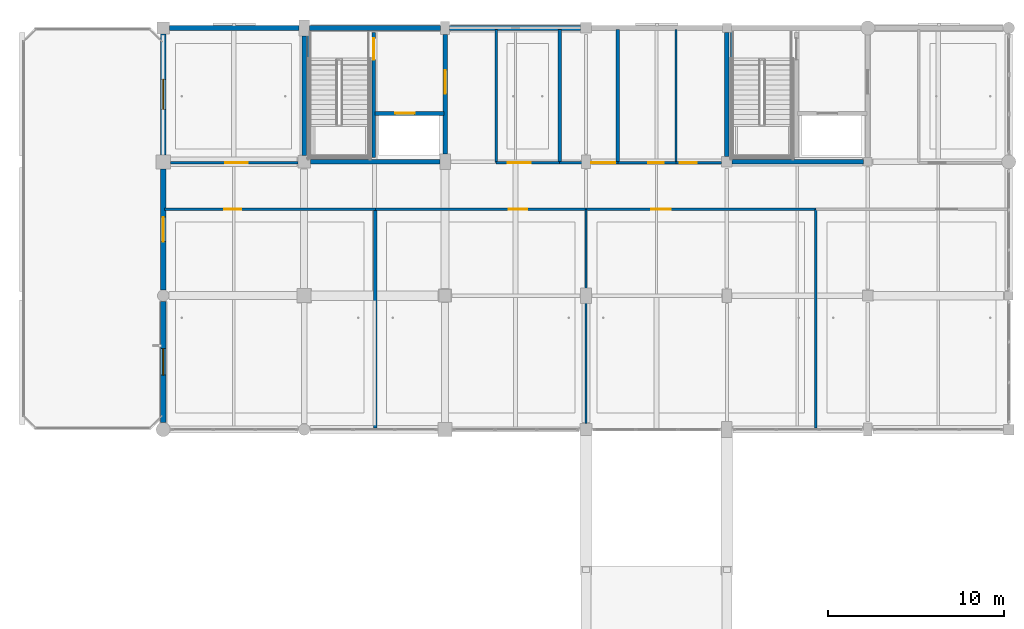
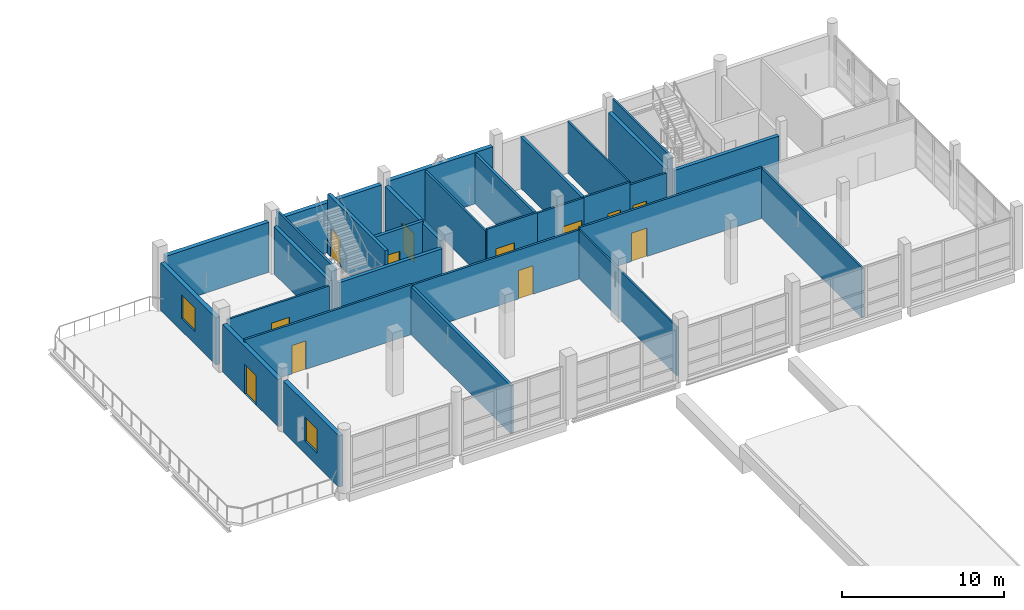
# One storey, part 75 of 107: 30 walls, 12 doors, 2 windows, 14 openings.
"""IFC4 building model written with IfcOpenShell, lengths in metres."""

from ifc_helpers import new_model, si_unit, direction, frame, frame_2d, origin, place, context, subcontext, project, spatial, rectangle, extrude, material, layer, layer_set, type_object, element, fill, save


model = new_model("IFC4")

# Units and contexts
model_context = context("Model", 3, precision=1e-05, world=origin(), true_north=direction((0.0, 1.0)))
body_context = subcontext(model_context, "Body", "Model", "MODEL_VIEW")
ifc_project = project(units=[si_unit("LENGTHUNIT", "METRE"), si_unit("AREAUNIT", "SQUARE_METRE"), si_unit("VOLUMEUNIT", "CUBIC_METRE"), si_unit("PLANEANGLEUNIT", "RADIAN"), si_unit("MASSUNIT", "GRAM", prefix="KILO")], contexts=[model_context])

# Site, building, storey
site_placement = place(None, origin())
site = spatial("IfcSite", under=ifc_project, at=site_placement, CompositionType="ELEMENT")
building_placement = place(site_placement, origin())
building = spatial("IfcBuilding", under=site, at=building_placement, Name="Khelvaren Railside Concert Hall", CompositionType="ELEMENT")
storey_placement = place(building_placement, frame((0.0, 0.0, 15.0)))
storey = spatial("IfcBuildingStorey", under=building, at=storey_placement, Name="L03", CompositionType="ELEMENT", Elevation=15.0)

# Walls
ifc_material_1 = material(Name="Concrete C40/50", Category="concrete")
ifc_layer_1 = layer(ifc_material_1, 0.139892578125)
ifc_layer_set_1 = layer_set([ifc_layer_1], Name="Concrete C40/50")
wall_type_1 = type_object("IfcWallType", Name="CW17", PredefinedType="SOLIDWALL", material=ifc_layer_set_1)
for number, where, z_axis, x_axis, name in (
    (1, (144.27490234375, 106.550048828125, 0.0), (0.0, 0.0, 1.0), (0.0, 1.0, 0.0), "Core Shaft Structural Liner Wall ST-09-L03"),
    (2, (168.27490234375, 106.550048828125, 0.0), (0.0, 0.0, 1.0), (0.0, 1.0, 0.0), "Core Shaft Structural Liner Wall ST-10-L03"),
):
    element("IfcWall", number, at=place(storey_placement, frame(where, z_axis=z_axis, x_axis=x_axis)), inside=storey, type_object=wall_type_1, Name=name, PredefinedType="SOLIDWALL", context=body_context, shape_type="SweptSolid", body=[
        extrude(rectangle(XDim=7.300048828125, YDim=0.139892578125, at=frame_2d((3.64990234375, 0.0))), origin(), (0.0, 0.0, 1.0), 4.530029296875),
    ])
ifc_layer_2 = layer(ifc_material_1, 0.25)
ifc_layer_set_2 = layer_set([ifc_layer_2], Name="Concrete C40/50")
wall_type_2 = type_object("IfcWallType", Name="CW82", PredefinedType="SOLIDWALL", material=ifc_layer_set_2)
wall_1_placement = place(storey_placement, frame((144.0, 106.75, 0.0), z_axis=(0.0, 0.0, 1.0), x_axis=(0.0, 1.0, 0.0)))
element("IfcWall", 3, at=wall_1_placement, inside=storey, type_object=wall_type_2, Name="Core Enclosure Wall CWALL-ST-09-L03-W", PredefinedType="SOLIDWALL", context=body_context, shape_type="SweptSolid", body=[
    extrude(rectangle(XDim=6.800048828125, YDim=0.25, at=frame_2d((3.39990234375, 0.0))), origin(), (0.0, 0.0, 1.0), 3.570068359375),
])
wall_2_placement = place(storey_placement, frame((144.35009765625, 106.39990234375, 0.0), z_axis=(0.0, 0.0, 1.0), x_axis=(1.0, 0.0, 0.0)))
element("IfcWall", 4, at=wall_2_placement, inside=storey, type_object=wall_type_2, Name="Core Enclosure Wall CWALL-ST-09-L03-S", PredefinedType="SOLIDWALL", context=body_context, shape_type="SweptSolid", body=[
    extrude(rectangle(XDim=7.349853515625, YDim=0.25, at=frame_2d((3.6748046875, 0.0))), origin(), (0.0, 0.0, 1.0), 3.570068359375),
])

# Wall, opening, door
wall_3_placement = place(storey_placement, frame((152.0, 106.85009765625, 0.0), z_axis=(0.0, 0.0, 1.0), x_axis=(0.0, 1.0, 0.0)))
wall_3 = element("IfcWall", 5, at=wall_3_placement, inside=storey, type_object=wall_type_2, Name="Core Enclosure Wall CWALL-ST-09-L03-E", PredefinedType="SOLIDWALL", context=body_context, shape_type="SweptSolid", body=[
    extrude(rectangle(XDim=6.77490234375, YDim=0.25, at=frame_2d((3.387451171875, 0.0))), origin(), (0.0, 0.0, 1.0), 3.7548828125),
])
opening_1_placement = place(wall_3_placement, frame((3.39990234375, 0.0, 0.0)))
opening_1 = element("IfcOpeningElement", 6, at=opening_1_placement, cuts=wall_3, Name="Opening FDR34", PredefinedType="OPENING", context=body_context, shape_type="SweptSolid", body=[
    extrude(rectangle(XDim=1.35009765625, YDim=2.199951171875, at=frame_2d((0.675048828125, 1.10009765625))), frame((0.0, 0.135009765625, 0.0), z_axis=(0.0, -1.0, 0.0), x_axis=(1.0, 0.0, 0.0)), (0.0, 0.0, 1.0), 0.27001953125),
])
ifc_material_2 = material(Name="Acoustic fire-rated timber-core steel frame door", Category="steel")
door_type_1 = type_object("IfcDoorType", Name="FDR34", OperationType="NOTDEFINED", PredefinedType="DOOR", material=ifc_material_2)
door_1_placement = place(opening_1_placement, origin())
door_1 = element("IfcDoor", 7, at=door_1_placement, inside=storey, type_object=door_type_1, Name="Interior Door DR-ST-09-L03-LOB", OperationType="SINGLE_SWING_LEFT", OverallHeight=2.199951171875, OverallWidth=1.35009765625, PredefinedType="DOOR", context=body_context, shape_type="SweptSolid", body=[
    extrude(rectangle(XDim=1.35009765625, YDim=2.199951171875, at=frame_2d((0.675048828125, 1.10009765625))), frame((0.0, 0.02490234375, 0.0), z_axis=(0.0, -1.0, 0.0), x_axis=(1.0, 0.0, 0.0)), (0.0, 0.0, 1.0), 0.050048828125),
])
fill(opening_1, door_1)

# Walls
wall_4_placement = place(storey_placement, frame((168.0, 106.699951171875, 0.0), z_axis=(0.0, 0.0, 1.0), x_axis=(0.0, 1.0, 0.0)))
element("IfcWall", 8, at=wall_4_placement, inside=storey, type_object=wall_type_2, Name="Core Enclosure Wall CWALL-ST-10-L03-W", PredefinedType="SOLIDWALL", context=body_context, shape_type="SweptSolid", body=[
    extrude(rectangle(XDim=7.050048828125, YDim=0.25, at=frame_2d((3.52490234375, 0.0))), origin(), (0.0, 0.0, 1.0), 3.655029296875),
])
wall_5_placement = place(storey_placement, frame((168.300048828125, 106.39990234375, 0.0), z_axis=(0.0, 0.0, 1.0), x_axis=(1.0, 0.0, 0.0)))
element("IfcWall", 9, at=wall_5_placement, inside=storey, type_object=wall_type_2, Name="Core Enclosure Wall CWALL-ST-10-L03-S", PredefinedType="SOLIDWALL", context=body_context, shape_type="SweptSolid", body=[
    extrude(rectangle(XDim=7.449951171875, YDim=0.25, at=frame_2d((3.72509765625, 0.0))), origin(), (0.0, 0.0, 1.0), 3.655029296875),
])

# Wall, opening, door
ifc_layer_3 = layer(ifc_material_1, 0.219970703125)
ifc_layer_set_3 = layer_set([ifc_layer_3], Name="Concrete C40/50")
wall_type_3 = type_object("IfcWallType", Name="CW97", PredefinedType="SOLIDWALL", material=ifc_layer_set_3)
wall_6_placement = place(storey_placement, frame((147.949951171875, 106.64990234375, 0.0), z_axis=(0.0, 0.0, 1.0), x_axis=(0.0, 1.0, 0.0)))
wall_6 = element("IfcWall", 10, at=wall_6_placement, inside=storey, type_object=wall_type_3, Name="Core Enclosure Wall CWALL-ST-09-L03-MID", PredefinedType="SOLIDWALL", context=body_context, shape_type="SweptSolid", body=[
    extrude(rectangle(XDim=7.10009765625, YDim=0.219970703125, at=frame_2d((3.550048828125, 0.0))), origin(), (0.0, 0.0, 1.0), 4.530029296875),
])
opening_2_placement = place(wall_6_placement, frame((5.550048828125, 0.0, 0.0)))
opening_2 = element("IfcOpeningElement", 11, at=opening_2_placement, cuts=wall_6, Name="Opening FDR17", PredefinedType="OPENING", context=body_context, shape_type="SweptSolid", body=[
    extrude(rectangle(XDim=1.199951171875, YDim=2.14990234375, at=frame_2d((0.60009765625, 1.074951171875))), frame((0.0, 0.119873046875, 0.0), z_axis=(0.0, -1.0, 0.0), x_axis=(1.0, 0.0, 0.0)), (0.0, 0.0, 1.0), 0.239990234375),
])
door_type_2 = type_object("IfcDoorType", Name="FDR17", OperationType="NOTDEFINED", PredefinedType="DOOR", material=ifc_material_2)
door_2_placement = place(opening_2_placement, origin())
door_2 = element("IfcDoor", 12, at=door_2_placement, inside=storey, type_object=door_type_2, Name="Interior Door DR-ST-09-L03-ST", OperationType="SINGLE_SWING_RIGHT", OverallHeight=2.14990234375, OverallWidth=1.199951171875, PredefinedType="DOOR", context=body_context, shape_type="SweptSolid", body=[
    extrude(rectangle(XDim=1.199951171875, YDim=2.14990234375, at=frame_2d((0.60009765625, 1.074951171875))), frame((0.0, 0.02490234375, 0.0), z_axis=(0.0, -1.0, 0.0), x_axis=(1.0, 0.0, 0.0)), (0.0, 0.0, 1.0), 0.050048828125),
])
fill(opening_2, door_2)

wall_7_placement = place(storey_placement, frame((148.02001953125, 109.14990234375, 0.0), z_axis=(0.0, 0.0, 1.0), x_axis=(1.0, 0.0, 0.0)))
wall_7 = element("IfcWall", 13, at=wall_7_placement, inside=storey, type_object=wall_type_3, Name="Core Enclosure Wall CWALL-ST-09-L03-SHF", PredefinedType="SOLIDWALL", context=body_context, shape_type="SweptSolid", body=[
    extrude(rectangle(XDim=3.929931640625, YDim=0.219970703125, at=frame_2d((1.96484375, 0.0))), origin(), (0.0, 0.0, 1.0), 3.8798828125),
])
opening_3_placement = place(wall_7_placement, frame((1.14990234375, 0.0, 0.0)))
opening_3 = element("IfcOpeningElement", 14, at=opening_3_placement, cuts=wall_7, Name="Opening LD-FL-02", PredefinedType="OPENING", context=body_context, shape_type="SweptSolid", body=[
    extrude(rectangle(XDim=1.10009765625, YDim=2.199951171875, at=frame_2d((0.550048828125, 1.10009765625))), frame((0.0, 0.119873046875, 0.0), z_axis=(0.0, -1.0, 0.0), x_axis=(1.0, 0.0, 0.0)), (0.0, 0.0, 1.0), 0.239990234375),
])
ifc_material_3 = material(Name="Fire-rated brushed stainless steel landing door", Category="steel")
door_type_3 = type_object("IfcDoorType", Name="LD96", OperationType="DOUBLE_DOOR_SLIDING", PredefinedType="DOOR", material=ifc_material_3)
door_3_placement = place(opening_3_placement, origin())
door_3 = element("IfcDoor", 15, at=door_3_placement, inside=storey, type_object=door_type_3, Name="Lift Landing Door LD-FL-02-L03", OperationType="DOUBLE_DOOR_SLIDING", OverallHeight=2.199951171875, OverallWidth=1.10009765625, PredefinedType="DOOR", context=body_context, shape_type="SweptSolid", body=[
    extrude(rectangle(XDim=1.10009765625, YDim=2.199951171875, at=frame_2d((0.550048828125, 1.10009765625))), frame((0.0, 0.02490234375, 0.0), z_axis=(0.0, -1.0, 0.0), x_axis=(1.0, 0.0, 0.0)), (0.0, 0.0, 1.0), 0.050048828125),
])
fill(opening_3, door_3)

# Wall, opening, window
ifc_material_4 = material(Name="Board-marked architectural concrete C40/50", Category="concrete")
ifc_layer_4 = layer(ifc_material_4, 0.300048828125)
ifc_layer_set_4 = layer_set([ifc_layer_4], Name="Board-marked architectural concrete C40/50")
wall_type_4 = type_object("IfcWallType", Name="EW54", PredefinedType="SOLIDWALL", material=ifc_layer_set_4)
wall_8_placement = place(storey_placement, frame((136.0, 91.60009765625, 0.0), z_axis=(0.0, 0.0, 1.0), x_axis=(0.0, 1.0, 0.0)))
wall_8 = element("IfcWall", 16, at=wall_8_placement, inside=storey, type_object=wall_type_4, Name="V5 L03 Exterior Concrete Wall W-91", PredefinedType="SOLIDWALL", context=body_context, shape_type="SweptSolid", body=[
    extrude(rectangle(XDim=6.875, YDim=0.300048828125, at=frame_2d((3.4375, 0.0))), origin(), (0.0, 0.0, 1.0), 3.8701171875),
])
opening_4_placement = place(wall_8_placement, frame((2.6875, 0.0, 0.949951171875)))
opening_4 = element("IfcOpeningElement", 17, at=opening_4_placement, cuts=wall_8, Name="Opening WN64", PredefinedType="OPENING", context=body_context, shape_type="SweptSolid", body=[
    extrude(rectangle(XDim=1.5, YDim=1.800048828125, at=frame_2d((0.75, 0.89990234375))), frame((0.0, 0.159912109375, 0.0), z_axis=(0.0, -1.0, 0.0), x_axis=(1.0, 0.0, 0.0)), (0.0, 0.0, 1.0), 0.320068359375),
])
ifc_material_5 = material(Name="Triple-glazed acoustic aluminium window", Category="aluminium")
window_type_1 = type_object("IfcWindowType", Name="WN64", PartitioningType="SINGLE_PANEL", PredefinedType="WINDOW", material=ifc_material_5)
window_1_placement = place(opening_4_placement, origin())
window_1 = element("IfcWindow", 18, at=window_1_placement, inside=storey, type_object=window_type_1, Name="Acoustic Facade Window EW-V5-L03-W-91", OverallHeight=1.800048828125, OverallWidth=1.5, PartitioningType="SINGLE_PANEL", PredefinedType="WINDOW", context=body_context, shape_type="SweptSolid", body=[
    extrude(rectangle(XDim=1.5, YDim=1.800048828125, at=frame_2d((0.75, 0.89990234375))), frame((0.0, 0.030029296875, 0.0), z_axis=(0.0, -1.0, 0.0), x_axis=(1.0, 0.0, 0.0)), (0.0, 0.0, 1.0), 0.06005859375),
])
fill(opening_4, window_1)

# Wall, opening, door
wall_9_placement = place(storey_placement, frame((136.0, 99.125, 0.0), z_axis=(0.0, 0.0, 1.0), x_axis=(0.0, 1.0, 0.0)))
wall_9 = element("IfcWall", 19, at=wall_9_placement, inside=storey, type_object=wall_type_4, Name="V5 L03 Exterior Concrete Wall W-99", PredefinedType="SOLIDWALL", context=body_context, shape_type="SweptSolid", body=[
    extrude(rectangle(XDim=6.875, YDim=0.300048828125, at=frame_2d((3.4375, 0.0))), origin(), (0.0, 0.0, 1.0), 3.570068359375),
])
opening_5_placement = place(wall_9_placement, frame((2.737548828125, 0.0, 0.0)))
opening_5 = element("IfcOpeningElement", 20, at=opening_5_placement, cuts=wall_9, Name="Opening TDR61", PredefinedType="OPENING", context=body_context, shape_type="SweptSolid", body=[
    extrude(rectangle(XDim=1.39990234375, YDim=2.199951171875, at=frame_2d((0.699951171875, 1.10009765625))), frame((0.0, 0.159912109375, 0.0), z_axis=(0.0, -1.0, 0.0), x_axis=(1.0, 0.0, 0.0)), (0.0, 0.0, 1.0), 0.320068359375),
])
ifc_material_6 = material(Name="Glazed thermally broken terrace door", Category="aluminium")
door_type_4 = type_object("IfcDoorType", Name="TDR61", OperationType="NOTDEFINED", PredefinedType="DOOR", material=ifc_material_6)
door_4_placement = place(opening_5_placement, origin())
door_4 = element("IfcDoor", 21, at=door_4_placement, inside=storey, type_object=door_type_4, Name="V5 L03 Outdoor Terrace Access Door", OperationType="SINGLE_SWING_LEFT", OverallHeight=2.199951171875, OverallWidth=1.39990234375, PredefinedType="DOOR", context=body_context, shape_type="SweptSolid", body=[
    extrude(rectangle(XDim=1.39990234375, YDim=2.199951171875, at=frame_2d((0.699951171875, 1.10009765625))), frame((0.0, 0.02490234375, 0.0), z_axis=(0.0, -1.0, 0.0), x_axis=(1.0, 0.0, 0.0)), (0.0, 0.0, 1.0), 0.050048828125),
])
fill(opening_5, door_4)

# Wall, opening, window
wall_10_placement = place(storey_placement, frame((136.0, 106.800048828125, 0.0), z_axis=(0.0, 0.0, 1.0), x_axis=(0.0, 1.0, 0.0)))
wall_10 = element("IfcWall", 22, at=wall_10_placement, inside=storey, type_object=wall_type_4, Name="V5 L03 Exterior Concrete Wall W-106", PredefinedType="SOLIDWALL", context=body_context, shape_type="SweptSolid", body=[
    extrude(rectangle(XDim=6.849853515625, YDim=0.300048828125, at=frame_2d((3.4248046875, 0.0))), origin(), (0.0, 0.0, 1.0), 3.570068359375),
])
opening_6_placement = place(wall_10_placement, frame((2.574951171875, 0.0, 0.949951171875)))
opening_6 = element("IfcOpeningElement", 23, at=opening_6_placement, cuts=wall_10, Name="Opening WN54", PredefinedType="OPENING", context=body_context, shape_type="SweptSolid", body=[
    extrude(rectangle(XDim=1.699951171875, YDim=1.800048828125, at=frame_2d((0.85009765625, 0.89990234375))), frame((0.0, 0.159912109375, 0.0), z_axis=(0.0, -1.0, 0.0), x_axis=(1.0, 0.0, 0.0)), (0.0, 0.0, 1.0), 0.320068359375),
])
window_type_2 = type_object("IfcWindowType", Name="WN54", PartitioningType="SINGLE_PANEL", PredefinedType="WINDOW", material=ifc_material_5)
window_2_placement = place(opening_6_placement, origin())
window_2 = element("IfcWindow", 24, at=window_2_placement, inside=storey, type_object=window_type_2, Name="Acoustic Facade Window EW-V5-L03-W-106", OverallHeight=1.800048828125, OverallWidth=1.699951171875, PartitioningType="SINGLE_PANEL", PredefinedType="WINDOW", context=body_context, shape_type="SweptSolid", body=[
    extrude(rectangle(XDim=1.699951171875, YDim=1.800048828125, at=frame_2d((0.85009765625, 0.89990234375))), frame((0.0, 0.030029296875, 0.0), z_axis=(0.0, -1.0, 0.0), x_axis=(1.0, 0.0, 0.0)), (0.0, 0.0, 1.0), 0.06005859375),
])
fill(opening_6, window_2)

# Walls
wall_11_placement = place(storey_placement, frame((136.35009765625, 114.0, 0.0), z_axis=(0.0, 0.0, 1.0), x_axis=(1.0, 0.0, 0.0)))
element("IfcWall", 25, at=wall_11_placement, inside=storey, type_object=wall_type_4, Name="V5 L03 Exterior Concrete Wall N-136", PredefinedType="SOLIDWALL", context=body_context, shape_type="SweptSolid", body=[
    extrude(rectangle(XDim=7.349853515625, YDim=0.300048828125, at=frame_2d((3.6748046875, 0.0))), origin(), (0.0, 0.0, 1.0), 3.77001953125),
])
wall_12_placement = place(storey_placement, frame((144.300048828125, 114.0, 0.0), z_axis=(0.0, 0.0, 1.0), x_axis=(1.0, 0.0, 0.0)))
element("IfcWall", 26, at=wall_12_placement, inside=storey, type_object=wall_type_4, Name="V5 L03 Exterior Concrete Wall N-144", PredefinedType="SOLIDWALL", context=body_context, shape_type="SweptSolid", body=[
    extrude(rectangle(XDim=7.449951171875, YDim=0.300048828125, at=frame_2d((3.72509765625, 0.0))), origin(), (0.0, 0.0, 1.0), 3.77001953125),
])
wall_13_placement = place(storey_placement, frame((152.25, 114.0, 0.0), z_axis=(0.0, 0.0, 1.0), x_axis=(1.0, 0.0, 0.0)))
element("IfcWall", 27, at=wall_13_placement, inside=storey, type_object=wall_type_4, Name="V5 L03 Exterior Concrete Wall N-152", PredefinedType="SOLIDWALL", context=body_context, shape_type="SweptSolid", body=[
    extrude(rectangle(XDim=7.449951171875, YDim=0.300048828125, at=frame_2d((3.72509765625, 0.0))), origin(), (0.0, 0.0, 1.0), 3.8701171875),
])
ifc_material_7 = material(Name="Acoustic double-stud gypsum partition", Category="gypsum")
ifc_layer_5 = layer(ifc_material_7, 0.139892578125)
ifc_layer_set_5 = layer_set([ifc_layer_5], Name="Acoustic double-stud gypsum partition")
wall_type_5 = type_object("IfcWallType", Name="PT41", PredefinedType="PARTITIONING", material=ifc_layer_set_5)
wall_14_placement = place(storey_placement, frame((173.047119140625, 91.280029296875, 0.0), z_axis=(0.0, 0.0, 1.0), x_axis=(0.0, 1.0, 0.0)))
element("IfcWall", 28, at=wall_14_placement, inside=storey, type_object=wall_type_5, Name="Acoustic Partition Wall PW-V5-L03-S-D03", PredefinedType="PARTITIONING", context=body_context, shape_type="SweptSolid", body=[
    extrude(rectangle(XDim=12.419921875, YDim=0.139892578125, at=frame_2d((6.2099609375, 0.0))), origin(), (0.0, 0.0, 1.0), 3.780029296875),
])
ifc_layer_6 = layer(ifc_material_7, 0.179931640625)
ifc_layer_set_6 = layer_set([ifc_layer_6], Name="Acoustic double-stud gypsum partition")
wall_type_6 = type_object("IfcWallType", Name="PT53", PredefinedType="PARTITIONING", material=ifc_layer_set_6)
wall_15_placement = place(storey_placement, frame((158.506103515625, 106.35009765625, 0.0), z_axis=(0.0, 0.0, 1.0), x_axis=(0.0, 1.0, 0.0)))
element("IfcWall", 29, at=wall_15_placement, inside=storey, type_object=wall_type_6, Name="Acoustic Partition Wall PW-V5-L03-N-D01", PredefinedType="PARTITIONING", context=body_context, shape_type="SweptSolid", body=[
    extrude(rectangle(XDim=7.56982421875, YDim=0.179931640625, at=frame_2d((3.784912109375, 0.0))), origin(), (0.0, 0.0, 1.0), 3.7548828125),
])

# Wall, opening, door
ifc_layer_7 = layer(ifc_material_7, 0.139892578125)
ifc_layer_set_7 = layer_set([ifc_layer_7], Name="Acoustic double-stud gypsum partition")
wall_type_7 = type_object("IfcWallType", Name="PT55", PredefinedType="PARTITIONING", material=ifc_layer_set_7)
wall_16_placement = place(storey_placement, frame((136.39990234375, 106.35009765625, 0.0), z_axis=(0.0, 0.0, 1.0), x_axis=(1.0, 0.0, 0.0)))
wall_16 = element("IfcWall", 30, at=wall_16_placement, inside=storey, type_object=wall_type_7, Name="Acoustic Partition Wall PW-V5-L03-NW-C01", PredefinedType="PARTITIONING", context=body_context, shape_type="SweptSolid", body=[
    extrude(rectangle(XDim=7.25, YDim=0.139892578125, at=frame_2d((3.625, 0.0))), origin(), (0.0, 0.0, 1.0), 3.570068359375),
])
opening_7_placement = place(wall_16_placement, frame((3.125, 0.0, 0.0)))
opening_7 = element("IfcOpeningElement", 31, at=opening_7_placement, cuts=wall_16, Name="Opening IDR64", PredefinedType="OPENING", context=body_context, shape_type="SweptSolid", body=[
    extrude(rectangle(XDim=1.260009765625, YDim=2.199951171875, at=frame_2d((0.6298828125, 1.10009765625))), frame((0.0, 0.079833984375, 0.0), z_axis=(0.0, -1.0, 0.0), x_axis=(1.0, 0.0, 0.0)), (0.0, 0.0, 1.0), 0.159912109375),
])
ifc_material_8 = material(Name="Solid oak acoustic studio door", Category="wood")
door_type_5 = type_object("IfcDoorType", Name="IDR64", OperationType="NOTDEFINED", PredefinedType="DOOR", material=ifc_material_8)
door_5_placement = place(opening_7_placement, origin())
door_5 = element("IfcDoor", 32, at=door_5_placement, inside=storey, type_object=door_type_5, Name="Interior Door DR-V5-L03-NW-01", OperationType="SINGLE_SWING_RIGHT", OverallHeight=2.199951171875, OverallWidth=1.260009765625, PredefinedType="DOOR", context=body_context, shape_type="SweptSolid", body=[
    extrude(rectangle(XDim=1.260009765625, YDim=2.199951171875, at=frame_2d((0.6298828125, 1.10009765625))), frame((0.0, 0.02490234375, 0.0), z_axis=(0.0, -1.0, 0.0), x_axis=(1.0, 0.0, 0.0)), (0.0, 0.0, 1.0), 0.050048828125),
])
fill(opening_7, door_5)

wall_17_placement = place(storey_placement, frame((154.89990234375, 106.35009765625, 0.0), z_axis=(0.0, 0.0, 1.0), x_axis=(1.0, 0.0, 0.0)))
wall_17 = element("IfcWall", 33, at=wall_17_placement, inside=storey, type_object=wall_type_7, Name="Acoustic Partition Wall PW-V5-L03-N-C01", PredefinedType="PARTITIONING", context=body_context, shape_type="SweptSolid", body=[
    extrude(rectangle(XDim=3.606201171875, YDim=0.139892578125, at=frame_2d((1.80322265625, 0.0))), origin(), (0.0, 0.0, 1.0), 3.905029296875),
])
opening_8_placement = place(wall_17_placement, frame((0.6533203125, 0.0, 0.0)))
opening_8 = element("IfcOpeningElement", 34, at=opening_8_placement, cuts=wall_17, Name="Opening IDR18", PredefinedType="OPENING", context=body_context, shape_type="SweptSolid", body=[
    extrude(rectangle(XDim=1.300048828125, YDim=2.199951171875, at=frame_2d((0.64990234375, 1.10009765625))), frame((0.0, 0.079833984375, 0.0), z_axis=(0.0, -1.0, 0.0), x_axis=(1.0, 0.0, 0.0)), (0.0, 0.0, 1.0), 0.159912109375),
])
door_type_6 = type_object("IfcDoorType", Name="IDR18", OperationType="NOTDEFINED", PredefinedType="DOOR", material=ifc_material_8)
door_6_placement = place(opening_8_placement, origin())
door_6 = element("IfcDoor", 35, at=door_6_placement, inside=storey, type_object=door_type_6, Name="Interior Door DR-V5-L03-N-01", OperationType="SINGLE_SWING_LEFT", OverallHeight=2.199951171875, OverallWidth=1.300048828125, PredefinedType="DOOR", context=body_context, shape_type="SweptSolid", body=[
    extrude(rectangle(XDim=1.300048828125, YDim=2.199951171875, at=frame_2d((0.64990234375, 1.10009765625))), frame((0.0, 0.02490234375, 0.0), z_axis=(0.0, -1.0, 0.0), x_axis=(1.0, 0.0, 0.0)), (0.0, 0.0, 1.0), 0.050048828125),
])
fill(opening_8, door_6)

wall_18_placement = place(storey_placement, frame((158.506103515625, 106.35009765625, 0.0), z_axis=(0.0, 0.0, 1.0), x_axis=(1.0, 0.0, 0.0)))
wall_18 = element("IfcWall", 36, at=wall_18_placement, inside=storey, type_object=wall_type_7, Name="Acoustic Partition Wall PW-V5-L03-N-C02", PredefinedType="PARTITIONING", context=body_context, shape_type="SweptSolid", body=[
    extrude(rectangle(XDim=3.304931640625, YDim=0.139892578125, at=frame_2d((1.65234375, 0.0))), origin(), (0.0, 0.0, 1.0), 3.85498046875),
])
opening_9_placement = place(wall_18_placement, frame((1.784912109375, 0.0, 0.0)))
opening_9 = element("IfcOpeningElement", 37, at=opening_9_placement, cuts=wall_18, Name="Opening IDR82", PredefinedType="OPENING", context=body_context, shape_type="SweptSolid", body=[
    extrude(rectangle(XDim=1.3798828125, YDim=2.199951171875, at=frame_2d((0.68994140625, 1.10009765625))), frame((0.0, 0.079833984375, 0.0), z_axis=(0.0, -1.0, 0.0), x_axis=(1.0, 0.0, 0.0)), (0.0, 0.0, 1.0), 0.159912109375),
])
door_type_7 = type_object("IfcDoorType", Name="IDR82", OperationType="NOTDEFINED", PredefinedType="DOOR", material=ifc_material_8)
door_7_placement = place(opening_9_placement, origin())
door_7 = element("IfcDoor", 38, at=door_7_placement, inside=storey, type_object=door_type_7, Name="Interior Door DR-V5-L03-N-02", OperationType="SINGLE_SWING_RIGHT", OverallHeight=2.199951171875, OverallWidth=1.3798828125, PredefinedType="DOOR", context=body_context, shape_type="SweptSolid", body=[
    extrude(rectangle(XDim=1.3798828125, YDim=2.199951171875, at=frame_2d((0.68994140625, 1.10009765625))), frame((0.0, 0.02490234375, 0.0), z_axis=(0.0, -1.0, 0.0), x_axis=(1.0, 0.0, 0.0)), (0.0, 0.0, 1.0), 0.050048828125),
])
fill(opening_9, door_7)

wall_19_placement = place(storey_placement, frame((161.81103515625, 106.35009765625, 0.0), z_axis=(0.0, 0.0, 1.0), x_axis=(1.0, 0.0, 0.0)))
wall_19 = element("IfcWall", 39, at=wall_19_placement, inside=storey, type_object=wall_type_7, Name="Acoustic Partition Wall PW-V5-L03-N-C03", PredefinedType="PARTITIONING", context=body_context, shape_type="SweptSolid", body=[
    extrude(rectangle(XDim=3.304931640625, YDim=0.139892578125, at=frame_2d((1.65234375, 0.0))), origin(), (0.0, 0.0, 1.0), 3.885009765625),
])
opening_10_placement = place(wall_19_placement, frame((1.7119140625, 0.0, 0.0)))
opening_10 = element("IfcOpeningElement", 40, at=opening_10_placement, cuts=wall_19, Name="Opening IDR59", PredefinedType="OPENING", context=body_context, shape_type="SweptSolid", body=[
    extrude(rectangle(XDim=0.89990234375, YDim=2.050048828125, at=frame_2d((0.449951171875, 1.02490234375))), frame((0.0, 0.079833984375, 0.0), z_axis=(0.0, -1.0, 0.0), x_axis=(1.0, 0.0, 0.0)), (0.0, 0.0, 1.0), 0.159912109375),
])
door_type_8 = type_object("IfcDoorType", Name="IDR59", OperationType="NOTDEFINED", PredefinedType="DOOR", material=ifc_material_8)
door_8_placement = place(opening_10_placement, origin())
door_8 = element("IfcDoor", 41, at=door_8_placement, inside=storey, type_object=door_type_8, Name="Interior Door DR-V5-L03-N-03", OperationType="SINGLE_SWING_LEFT", OverallHeight=2.050048828125, OverallWidth=0.89990234375, PredefinedType="DOOR", context=body_context, shape_type="SweptSolid", body=[
    extrude(rectangle(XDim=0.89990234375, YDim=2.050048828125, at=frame_2d((0.449951171875, 1.02490234375))), frame((0.0, 0.02490234375, 0.0), z_axis=(0.0, -1.0, 0.0), x_axis=(1.0, 0.0, 0.0)), (0.0, 0.0, 1.0), 0.050048828125),
])
fill(opening_10, door_8)

wall_20_placement = place(storey_placement, frame((165.115966796875, 106.35009765625, 0.0), z_axis=(0.0, 0.0, 1.0), x_axis=(1.0, 0.0, 0.0)))
wall_20 = element("IfcWall", 42, at=wall_20_placement, inside=storey, type_object=wall_type_7, Name="Acoustic Partition Wall PW-V5-L03-N-C04", PredefinedType="PARTITIONING", context=body_context, shape_type="SweptSolid", body=[
    extrude(rectangle(XDim=2.583984375, YDim=0.139892578125, at=frame_2d((1.2919921875, 0.0))), origin(), (0.0, 0.0, 1.0), 3.669921875),
])
opening_11_placement = place(wall_20_placement, frame((0.219970703125, 0.0, 0.0)))
opening_11 = element("IfcOpeningElement", 43, at=opening_11_placement, cuts=wall_20, Name="Opening IDR92", PredefinedType="OPENING", context=body_context, shape_type="SweptSolid", body=[
    extrude(rectangle(XDim=0.93994140625, YDim=2.050048828125, at=frame_2d((0.469970703125, 1.02490234375))), frame((0.0, 0.079833984375, 0.0), z_axis=(0.0, -1.0, 0.0), x_axis=(1.0, 0.0, 0.0)), (0.0, 0.0, 1.0), 0.159912109375),
])
door_type_9 = type_object("IfcDoorType", Name="IDR92", OperationType="NOTDEFINED", PredefinedType="DOOR", material=ifc_material_8)
door_9_placement = place(opening_11_placement, origin())
door_9 = element("IfcDoor", 44, at=door_9_placement, inside=storey, type_object=door_type_9, Name="Interior Door DR-V5-L03-N-04", OperationType="SINGLE_SWING_RIGHT", OverallHeight=2.050048828125, OverallWidth=0.93994140625, PredefinedType="DOOR", context=body_context, shape_type="SweptSolid", body=[
    extrude(rectangle(XDim=0.93994140625, YDim=2.050048828125, at=frame_2d((0.469970703125, 1.02490234375))), frame((0.0, 0.02490234375, 0.0), z_axis=(0.0, -1.0, 0.0), x_axis=(1.0, 0.0, 0.0)), (0.0, 0.0, 1.0), 0.050048828125),
])
fill(opening_11, door_9)

# Wall
wall_21_placement = place(storey_placement, frame((154.89990234375, 106.35009765625, 0.0), z_axis=(0.0, 0.0, 1.0), x_axis=(0.0, 1.0, 0.0)))
element("IfcWall", 45, at=wall_21_placement, inside=storey, type_object=wall_type_7, Name="Acoustic Partition Wall PW-V5-L03-N-W0", PredefinedType="PARTITIONING", context=body_context, shape_type="SweptSolid", body=[
    extrude(rectangle(XDim=7.56982421875, YDim=0.139892578125, at=frame_2d((3.784912109375, 0.0))), origin(), (0.0, 0.0, 1.0), 3.7548828125),
])

# Wall, opening, door
ifc_layer_8 = layer(ifc_material_7, 0.14990234375)
ifc_layer_set_8 = layer_set([ifc_layer_8], Name="Acoustic double-stud gypsum partition")
wall_type_8 = type_object("IfcWallType", Name="PT72", PredefinedType="PARTITIONING", material=ifc_layer_set_8)
wall_22_placement = place(storey_placement, frame((136.080078125, 103.699951171875, 0.0), z_axis=(0.0, 0.0, 1.0), x_axis=(1.0, 0.0, 0.0)))
wall_22 = element("IfcWall", 46, at=wall_22_placement, inside=storey, type_object=wall_type_8, Name="Acoustic Partition Wall PW-V5-L03-S-C01", PredefinedType="PARTITIONING", context=body_context, shape_type="SweptSolid", body=[
    extrude(rectangle(XDim=11.9599609375, YDim=0.14990234375, at=frame_2d((5.97998046875, 0.0))), origin(), (0.0, 0.0, 1.0), 3.7548828125),
])
opening_12_placement = place(wall_22_placement, frame((3.3759765625, 0.0, 0.0)))
opening_12 = element("IfcOpeningElement", 47, at=opening_12_placement, cuts=wall_22, Name="Opening IDR67", PredefinedType="OPENING", context=body_context, shape_type="SweptSolid", body=[
    extrude(rectangle(XDim=0.97998046875, YDim=2.14990234375, at=frame_2d((0.489990234375, 1.074951171875))), frame((0.0, 0.0849609375, 0.0), z_axis=(0.0, -1.0, 0.0), x_axis=(1.0, 0.0, 0.0)), (0.0, 0.0, 1.0), 0.169921875),
])
door_type_10 = type_object("IfcDoorType", Name="IDR67", OperationType="NOTDEFINED", PredefinedType="DOOR", material=ifc_material_8)
door_10_placement = place(opening_12_placement, origin())
door_10 = element("IfcDoor", 48, at=door_10_placement, inside=storey, type_object=door_type_10, Name="Interior Door DR-V5-L03-S-01", OperationType="SINGLE_SWING_RIGHT", OverallHeight=2.14990234375, OverallWidth=0.97998046875, PredefinedType="DOOR", context=body_context, shape_type="SweptSolid", body=[
    extrude(rectangle(XDim=0.97998046875, YDim=2.14990234375, at=frame_2d((0.489990234375, 1.074951171875))), frame((0.0, 0.02490234375, 0.0), z_axis=(0.0, -1.0, 0.0), x_axis=(1.0, 0.0, 0.0)), (0.0, 0.0, 1.0), 0.050048828125),
])
fill(opening_12, door_10)

wall_23_placement = place(storey_placement, frame((148.0400390625, 103.699951171875, 0.0), z_axis=(0.0, 0.0, 1.0), x_axis=(1.0, 0.0, 0.0)))
wall_23 = element("IfcWall", 49, at=wall_23_placement, inside=storey, type_object=wall_type_8, Name="Acoustic Partition Wall PW-V5-L03-S-C02", PredefinedType="PARTITIONING", context=body_context, shape_type="SweptSolid", body=[
    extrude(rectangle(XDim=11.9599609375, YDim=0.14990234375, at=frame_2d((5.97998046875, 0.0))), origin(), (0.0, 0.0, 1.0), 3.705078125),
])
opening_13_placement = place(wall_23_placement, frame((7.583984375, 0.0, 0.0)))
opening_13 = element("IfcOpeningElement", 50, at=opening_13_placement, cuts=wall_23, Name="Opening IDR24", PredefinedType="OPENING", context=body_context, shape_type="SweptSolid", body=[
    extrude(rectangle(XDim=1.0400390625, YDim=2.14990234375, at=frame_2d((0.52001953125, 1.074951171875))), frame((0.0, 0.0849609375, 0.0), z_axis=(0.0, -1.0, 0.0), x_axis=(1.0, 0.0, 0.0)), (0.0, 0.0, 1.0), 0.169921875),
])
door_type_11 = type_object("IfcDoorType", Name="IDR24", OperationType="NOTDEFINED", PredefinedType="DOOR", material=ifc_material_8)
door_11_placement = place(opening_13_placement, origin())
door_11 = element("IfcDoor", 51, at=door_11_placement, inside=storey, type_object=door_type_11, Name="Interior Door DR-V5-L03-S-02", OperationType="SINGLE_SWING_LEFT", OverallHeight=2.14990234375, OverallWidth=1.0400390625, PredefinedType="DOOR", context=body_context, shape_type="SweptSolid", body=[
    extrude(rectangle(XDim=1.0400390625, YDim=2.14990234375, at=frame_2d((0.52001953125, 1.074951171875))), frame((0.0, 0.02490234375, 0.0), z_axis=(0.0, -1.0, 0.0), x_axis=(1.0, 0.0, 0.0)), (0.0, 0.0, 1.0), 0.050048828125),
])
fill(opening_13, door_11)

wall_24_placement = place(storey_placement, frame((160.0, 103.699951171875, 0.0), z_axis=(0.0, 0.0, 1.0), x_axis=(1.0, 0.0, 0.0)))
wall_24 = element("IfcWall", 52, at=wall_24_placement, inside=storey, type_object=wall_type_8, Name="Acoustic Partition Wall PW-V5-L03-S-C03", PredefinedType="PARTITIONING", context=body_context, shape_type="SweptSolid", body=[
    extrude(rectangle(XDim=13.047119140625, YDim=0.14990234375, at=frame_2d((6.5234375, 0.0))), origin(), (0.0, 0.0, 1.0), 3.85498046875),
])
opening_14_placement = place(wall_24_placement, frame((3.7021484375, 0.0, 0.0)))
opening_14 = element("IfcOpeningElement", 53, at=opening_14_placement, cuts=wall_24, Name="Opening IDR45", PredefinedType="OPENING", context=body_context, shape_type="SweptSolid", body=[
    extrude(rectangle(XDim=1.10009765625, YDim=2.14990234375, at=frame_2d((0.550048828125, 1.074951171875))), frame((0.0, 0.0849609375, 0.0), z_axis=(0.0, -1.0, 0.0), x_axis=(1.0, 0.0, 0.0)), (0.0, 0.0, 1.0), 0.169921875),
])
door_type_12 = type_object("IfcDoorType", Name="IDR45", OperationType="NOTDEFINED", PredefinedType="DOOR", material=ifc_material_8)
door_12_placement = place(opening_14_placement, origin())
door_12 = element("IfcDoor", 54, at=door_12_placement, inside=storey, type_object=door_type_12, Name="Interior Door DR-V5-L03-S-03", OperationType="SINGLE_SWING_RIGHT", OverallHeight=2.14990234375, OverallWidth=1.10009765625, PredefinedType="DOOR", context=body_context, shape_type="SweptSolid", body=[
    extrude(rectangle(XDim=1.10009765625, YDim=2.14990234375, at=frame_2d((0.550048828125, 1.074951171875))), frame((0.0, 0.02490234375, 0.0), z_axis=(0.0, -1.0, 0.0), x_axis=(1.0, 0.0, 0.0)), (0.0, 0.0, 1.0), 0.050048828125),
])
fill(opening_14, door_12)

# Walls
ifc_layer_9 = layer(ifc_material_7, 0.1201171875)
ifc_layer_set_9 = layer_set([ifc_layer_9], Name="Acoustic double-stud gypsum partition")
wall_type_9 = type_object("IfcWallType", Name="PT74", PredefinedType="PARTITIONING", material=ifc_layer_set_9)
wall_25_placement = place(storey_placement, frame((160.0, 91.550048828125, 0.0), z_axis=(0.0, 0.0, 1.0), x_axis=(0.0, 1.0, 0.0)))
element("IfcWall", 55, at=wall_25_placement, inside=storey, type_object=wall_type_9, Name="Acoustic Partition Wall PW-V5-L03-S-D02", PredefinedType="PARTITIONING", context=body_context, shape_type="SweptSolid", body=[
    extrude(rectangle(XDim=12.14990234375, YDim=0.1201171875, at=frame_2d((6.074951171875, 0.0))), origin(), (0.0, 0.0, 1.0), 3.705078125),
])
wall_26_placement = place(storey_placement, frame((165.115966796875, 106.35009765625, 0.0), z_axis=(0.0, 0.0, 1.0), x_axis=(0.0, 1.0, 0.0)))
element("IfcWall", 56, at=wall_26_placement, inside=storey, type_object=wall_type_9, Name="Acoustic Partition Wall PW-V5-L03-N-D03", PredefinedType="PARTITIONING", context=body_context, shape_type="SweptSolid", body=[
    extrude(rectangle(XDim=7.56982421875, YDim=0.1201171875, at=frame_2d((3.784912109375, 0.0))), origin(), (0.0, 0.0, 1.0), 3.885009765625),
])
ifc_layer_10 = layer(ifc_material_7, 0.199951171875)
ifc_layer_set_10 = layer_set([ifc_layer_10], Name="Acoustic double-stud gypsum partition")
wall_type_10 = type_object("IfcWallType", Name="PT75", PredefinedType="PARTITIONING", material=ifc_layer_set_10)
wall_27_placement = place(storey_placement, frame((148.0400390625, 91.280029296875, 0.0), z_axis=(0.0, 0.0, 1.0), x_axis=(0.0, 1.0, 0.0)))
element("IfcWall", 57, at=wall_27_placement, inside=storey, type_object=wall_type_10, Name="Acoustic Partition Wall PW-V5-L03-S-D01", PredefinedType="PARTITIONING", context=body_context, shape_type="SweptSolid", body=[
    extrude(rectangle(XDim=12.419921875, YDim=0.199951171875, at=frame_2d((6.2099609375, 0.0))), origin(), (0.0, 0.0, 1.0), 3.60498046875),
])
wall_28_placement = place(storey_placement, frame((161.81103515625, 106.35009765625, 0.0), z_axis=(0.0, 0.0, 1.0), x_axis=(0.0, 1.0, 0.0)))
element("IfcWall", 58, at=wall_28_placement, inside=storey, type_object=wall_type_10, Name="Acoustic Partition Wall PW-V5-L03-N-D02", PredefinedType="PARTITIONING", context=body_context, shape_type="SweptSolid", body=[
    extrude(rectangle(XDim=7.56982421875, YDim=0.199951171875, at=frame_2d((3.784912109375, 0.0))), origin(), (0.0, 0.0, 1.0), 3.885009765625),
])

save(model, "model.ifc")
